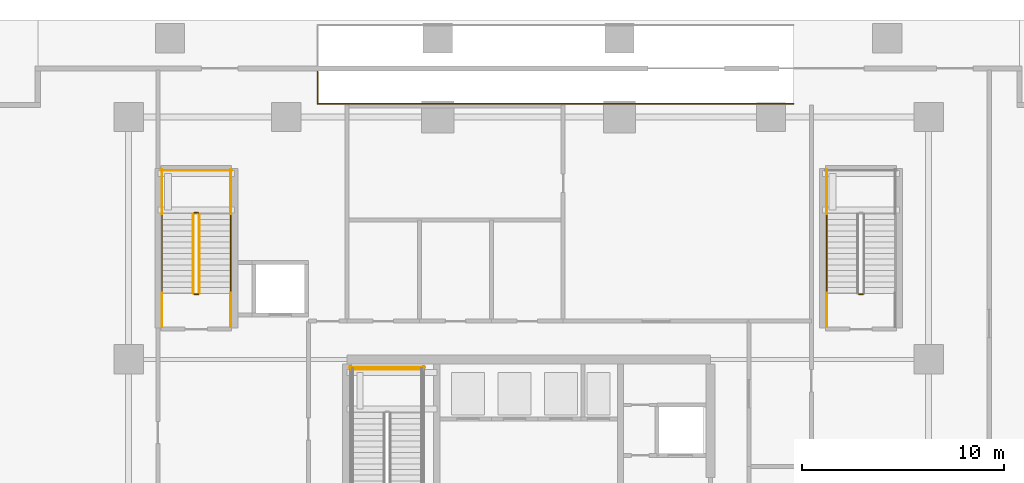
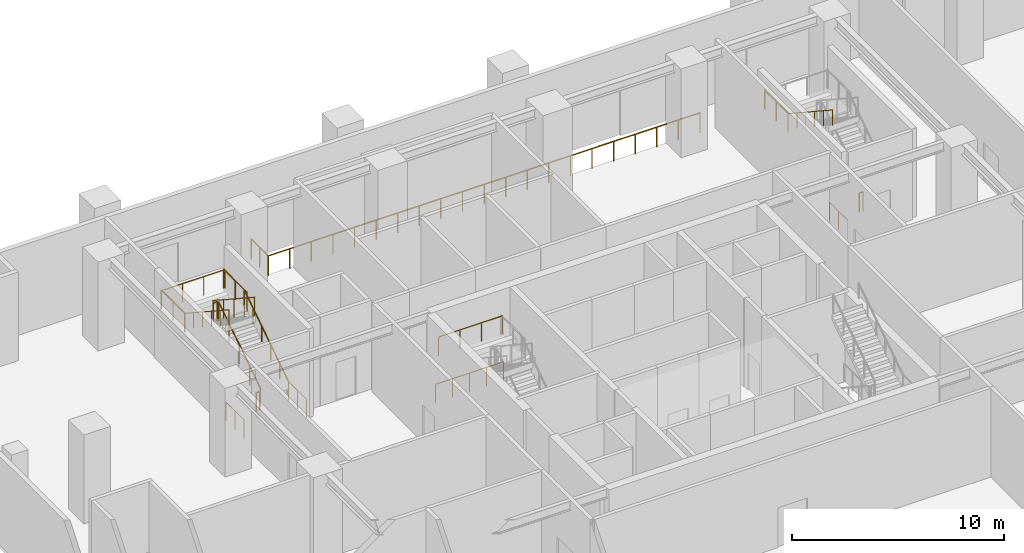
# One storey, part 13 of 15: 18 railings.
"""IFC4 building model written with IfcOpenShell, lengths in metres."""

from ifc_helpers import new_model, si_unit, direction, frame, origin, origin_2d, place, context, subcontext, project, spatial, circle, extrude, material, type_object, element, save


model = new_model("IFC4")

# Units and contexts
model_context = context("Model", 3, precision=1e-05, world=origin(), true_north=direction((0.0, 1.0)))
body_context = subcontext(model_context, "Body", "Model", "MODEL_VIEW")
ifc_project = project(units=[si_unit("LENGTHUNIT", "METRE"), si_unit("AREAUNIT", "SQUARE_METRE"), si_unit("VOLUMEUNIT", "CUBIC_METRE"), si_unit("PLANEANGLEUNIT", "RADIAN"), si_unit("MASSUNIT", "GRAM", prefix="KILO")], contexts=[model_context])

# Site, building, storey
site_placement = place(None, origin())
site = spatial("IfcSite", under=ifc_project, at=site_placement, CompositionType="ELEMENT")
building_placement = place(site_placement, origin())
building = spatial("IfcBuilding", under=site, at=building_placement, Name="Serunith Strait Residences", CompositionType="ELEMENT")
storey_placement = place(building_placement, origin())
storey = spatial("IfcBuildingStorey", under=building, at=storey_placement, Name="L00", CompositionType="ELEMENT", Elevation=0.0)

# Railings
ifc_material = material(Name="Brushed stainless steel 316L", Category="steel")
railing_type_1 = type_object("IfcRailingType", Name="RLG-STAIR-GUARD", PredefinedType="BALUSTRADE", material=ifc_material)
railing_1_placement = place(storey_placement, frame((27.14990234375, 33.10009765625, 2.75)))
element("IfcRailing", 1, at=railing_1_placement, inside=storey, type_object=railing_type_1, Name="L00 ST-1 stair guard 5", PredefinedType="BALUSTRADE", context=body_context, shape_type="SweptSolid", body=[
    extrude(circle(Radius=0.02392578125, at=origin_2d()), frame((-0.001953125, 0.0, 1.076171875), z_axis=(-1.0, 0.0, 0.0), x_axis=(0.0, -1.0, 0.0)), (0.0, 0.0, 1.0), 3.49609375),
    extrude(circle(Radius=0.02099609375, at=origin_2d()), origin(), (0.0, 0.0, 1.0), 1.050048828125),
    extrude(circle(Radius=0.02099609375, at=origin_2d()), frame((-1.166748046875, 0.0, 0.0)), (0.0, 0.0, 1.0), 1.050048828125),
    extrude(circle(Radius=0.02099609375, at=origin_2d()), frame((-2.333251953125, 0.0, 0.0)), (0.0, 0.0, 1.0), 1.050048828125),
    extrude(circle(Radius=0.02099609375, at=origin_2d()), frame((-3.5, 0.0, 0.0)), (0.0, 0.0, 1.0), 1.050048828125),
])
railing_2_placement = place(storey_placement, frame((27.25, 33.199951171875, 0.0)))
element("IfcRailing", 2, at=railing_2_placement, inside=storey, type_object=railing_type_1, Name="L00 ST-1 stair guard 12", PredefinedType="BALUSTRADE", context=body_context, shape_type="SweptSolid", body=[
    extrude(circle(Radius=0.02392578125, at=origin_2d()), frame((-0.001953125, 0.0, 1.076171875), z_axis=(-1.0, 0.0, 0.0), x_axis=(0.0, -1.0, 0.0)), (0.0, 0.0, 1.0), 3.696044921875),
    extrude(circle(Radius=0.02099609375, at=origin_2d()), origin(), (0.0, 0.0, 1.0), 1.050048828125),
    extrude(circle(Radius=0.02099609375, at=origin_2d()), frame((-0.925048828125, 0.0, 0.0)), (0.0, 0.0, 1.0), 1.050048828125),
    extrude(circle(Radius=0.02099609375, at=origin_2d()), frame((-1.85009765625, 0.0, 0.0)), (0.0, 0.0, 1.0), 1.050048828125),
    extrude(circle(Radius=0.02099609375, at=origin_2d()), frame((-2.77490234375, 0.0, 0.0)), (0.0, 0.0, 1.0), 1.050048828125),
    extrude(circle(Radius=0.02099609375, at=origin_2d()), frame((-3.699951171875, 0.0, 0.0)), (0.0, 0.0, 1.0), 1.050048828125),
])
railing_3_placement = place(storey_placement, frame((16.10009765625, 36.8798828125, 0.183349609375)))
element("IfcRailing", 3, at=railing_3_placement, inside=storey, type_object=railing_type_1, Name="L00 ST-3 stair guard 1", PredefinedType="BALUSTRADE", context=body_context, shape_type="SweptSolid", body=[
    extrude(circle(Radius=0.02392578125, at=origin_2d()), frame((0.0, 0.001708984375, 1.0771484375), z_axis=(0.0, 0.836630751959, 0.54776727255), x_axis=(-1.0, 0.0, 0.0)), (0.0, 0.0, 1.0), 4.681640625),
    extrude(circle(Radius=0.02099609375, at=origin_2d()), origin(), (0.0, 0.0, 1.0), 1.050048828125),
    extrude(circle(Radius=0.02099609375, at=origin_2d()), frame((0.0, 0.97998046875, 0.6416015625)), (0.0, 0.0, 1.0), 1.050048828125),
    extrude(circle(Radius=0.02099609375, at=origin_2d()), frame((0.0, 1.9599609375, 1.283203125)), (0.0, 0.0, 1.0), 1.050048828125),
    extrude(circle(Radius=0.02099609375, at=origin_2d()), frame((0.0, 2.940185546875, 1.925048828125)), (0.0, 0.0, 1.0), 1.050048828125),
    extrude(circle(Radius=0.02099609375, at=origin_2d()), frame((0.0, 3.920166015625, 2.566650390625)), (0.0, 0.0, 1.0), 1.050048828125),
])
railing_4_placement = place(storey_placement, frame((16.050048828125, 40.85009765625, 2.75)))
element("IfcRailing", 4, at=railing_4_placement, inside=storey, type_object=railing_type_1, Name="L00 ST-3 stair guard 2", PredefinedType="BALUSTRADE", context=body_context, shape_type="SweptSolid", body=[
    extrude(circle(Radius=0.02392578125, at=origin_2d()), frame((-0.001953125, 0.0, 1.076171875), z_axis=(-1.0, 0.0, 0.0), x_axis=(0.0, -1.0, 0.0)), (0.0, 0.0, 1.0), 0.196044921875),
    extrude(circle(Radius=0.02099609375, at=origin_2d()), origin(), (0.0, 0.0, 1.0), 1.050048828125),
    extrude(circle(Radius=0.02099609375, at=origin_2d()), frame((-0.199951171875, 0.0, 0.0)), (0.0, 0.0, 1.0), 1.050048828125),
])
for number, where, name in (
    (5, (17.64990234375, 40.800048828125, 2.75), "L00 ST-3 stair guard 3"),
    (6, (14.25, 40.800048828125, 2.75), "L00 ST-3 stair guard 4"),
):
    element("IfcRailing", number, at=place(storey_placement, frame(where)), inside=storey, type_object=railing_type_1, Name=name, PredefinedType="BALUSTRADE", context=body_context, shape_type="SweptSolid", body=[
        extrude(circle(Radius=0.02392578125, at=origin_2d()), frame((0.0, 0.001953125, 1.076171875), z_axis=(0.0, 1.0, 0.0), x_axis=(-1.0, 0.0, 0.0)), (0.0, 0.0, 1.0), 2.196044921875),
        extrude(circle(Radius=0.02099609375, at=origin_2d()), origin(), (0.0, 0.0, 1.0), 1.050048828125),
        extrude(circle(Radius=0.02099609375, at=origin_2d()), frame((0.0, 1.10009765625, 0.0)), (0.0, 0.0, 1.0), 1.050048828125),
        extrude(circle(Radius=0.02099609375, at=origin_2d()), frame((0.0, 2.199951171875, 0.0)), (0.0, 0.0, 1.0), 1.050048828125),
    ])
railing_5_placement = place(storey_placement, frame((17.699951171875, 42.949951171875, 2.75)))
element("IfcRailing", 7, at=railing_5_placement, inside=storey, type_object=railing_type_1, Name="L00 ST-3 stair guard 5", PredefinedType="BALUSTRADE", context=body_context, shape_type="SweptSolid", body=[
    extrude(circle(Radius=0.02392578125, at=origin_2d()), frame((-0.001953125, 0.0, 1.076171875), z_axis=(-1.0, 0.0, 0.0), x_axis=(0.0, -1.0, 0.0)), (0.0, 0.0, 1.0), 3.49609375),
    extrude(circle(Radius=0.02099609375, at=origin_2d()), origin(), (0.0, 0.0, 1.0), 1.050048828125),
    extrude(circle(Radius=0.02099609375, at=origin_2d()), frame((-1.166748046875, 0.0, 0.0)), (0.0, 0.0, 1.0), 1.050048828125),
    extrude(circle(Radius=0.02099609375, at=origin_2d()), frame((-2.333251953125, 0.0, 0.0)), (0.0, 0.0, 1.0), 1.050048828125),
    extrude(circle(Radius=0.02099609375, at=origin_2d()), frame((-3.5, 0.0, 0.0)), (0.0, 0.0, 1.0), 1.050048828125),
])
railing_6_placement = place(storey_placement, frame((15.800048828125, 40.800048828125, 2.933349609375)))
element("IfcRailing", 8, at=railing_6_placement, inside=storey, type_object=railing_type_1, Name="L00 ST-3 stair guard 6", PredefinedType="BALUSTRADE", context=body_context, shape_type="SweptSolid", body=[
    extrude(circle(Radius=0.02392578125, at=origin_2d()), frame((0.0, -0.001708984375, 1.0771484375), z_axis=(0.0, -0.836630751959, 0.54776727255), x_axis=(1.0, 0.0, 0.0)), (0.0, 0.0, 1.0), 4.681640625),
    extrude(circle(Radius=0.02099609375, at=origin_2d()), origin(), (0.0, 0.0, 1.0), 1.050048828125),
    extrude(circle(Radius=0.02099609375, at=origin_2d()), frame((0.0, -0.97998046875, 0.6416015625)), (0.0, 0.0, 1.0), 1.050048828125),
    extrude(circle(Radius=0.02099609375, at=origin_2d()), frame((0.0, -1.9599609375, 1.283203125)), (0.0, 0.0, 1.0), 1.050048828125),
    extrude(circle(Radius=0.02099609375, at=origin_2d()), frame((0.0, -2.940185546875, 1.925048828125)), (0.0, 0.0, 1.0), 1.050048828125),
    extrude(circle(Radius=0.02099609375, at=origin_2d()), frame((0.0, -3.920166015625, 2.566650390625)), (0.0, 0.0, 1.0), 1.050048828125),
])
railing_7_placement = place(storey_placement, frame((16.050048828125, 36.830078125, 0.0)))
element("IfcRailing", 9, at=railing_7_placement, inside=storey, type_object=railing_type_1, Name="L00 ST-3 stair guard 7", PredefinedType="BALUSTRADE", context=body_context, shape_type="SweptSolid", body=[
    extrude(circle(Radius=0.02392578125, at=origin_2d()), frame((-0.001953125, 0.0, 1.076171875), z_axis=(-1.0, 0.0, 0.0), x_axis=(0.0, -1.0, 0.0)), (0.0, 0.0, 1.0), 0.196044921875),
    extrude(circle(Radius=0.02099609375, at=origin_2d()), origin(), (0.0, 0.0, 1.0), 1.050048828125),
    extrude(circle(Radius=0.02099609375, at=origin_2d()), frame((-0.199951171875, 0.0, 0.0)), (0.0, 0.0, 1.0), 1.050048828125),
])
for number, where, name in (
    (10, (17.64990234375, 35.199951171875, 0.0), "L00 ST-3 stair guard 8"),
    (11, (14.25, 35.199951171875, 0.0), "L00 ST-3 stair guard 9"),
):
    element("IfcRailing", number, at=place(storey_placement, frame(where)), inside=storey, type_object=railing_type_1, Name=name, PredefinedType="BALUSTRADE", context=body_context, shape_type="SweptSolid", body=[
        extrude(circle(Radius=0.02392578125, at=origin_2d()), frame((0.0, 0.001953125, 1.076171875), z_axis=(0.0, 1.0, 0.0), x_axis=(-1.0, 0.0, 0.0)), (0.0, 0.0, 1.0), 1.676025390625),
        extrude(circle(Radius=0.02099609375, at=origin_2d()), origin(), (0.0, 0.0, 1.0), 1.050048828125),
        extrude(circle(Radius=0.02099609375, at=origin_2d()), frame((0.0, 0.83984375, 0.0)), (0.0, 0.0, 1.0), 1.050048828125),
        extrude(circle(Radius=0.02099609375, at=origin_2d()), frame((0.0, 1.679931640625, 0.0)), (0.0, 0.0, 1.0), 1.050048828125),
    ])
railing_8_placement = place(storey_placement, frame((47.14990234375, 40.800048828125, 2.75)))
element("IfcRailing", 12, at=railing_8_placement, inside=storey, type_object=railing_type_1, Name="L00 ST-4 stair guard 4", PredefinedType="BALUSTRADE", context=body_context, shape_type="SweptSolid", body=[
    extrude(circle(Radius=0.02392578125, at=origin_2d()), frame((0.0, 0.001953125, 1.076171875), z_axis=(0.0, 1.0, 0.0), x_axis=(-1.0, 0.0, 0.0)), (0.0, 0.0, 1.0), 2.196044921875),
    extrude(circle(Radius=0.02099609375, at=origin_2d()), origin(), (0.0, 0.0, 1.0), 1.050048828125),
    extrude(circle(Radius=0.02099609375, at=origin_2d()), frame((0.0, 1.10009765625, 0.0)), (0.0, 0.0, 1.0), 1.050048828125),
    extrude(circle(Radius=0.02099609375, at=origin_2d()), frame((0.0, 2.199951171875, 0.0)), (0.0, 0.0, 1.0), 1.050048828125),
])
railing_9_placement = place(storey_placement, frame((48.949951171875, 36.830078125, 0.0)))
element("IfcRailing", 13, at=railing_9_placement, inside=storey, type_object=railing_type_1, Name="L00 ST-4 stair guard 7", PredefinedType="BALUSTRADE", context=body_context, shape_type="SweptSolid", body=[
    extrude(circle(Radius=0.02392578125, at=origin_2d()), frame((-0.001953125, 0.0, 1.076171875), z_axis=(-1.0, 0.0, 0.0), x_axis=(0.0, -1.0, 0.0)), (0.0, 0.0, 1.0), 0.196044921875),
    extrude(circle(Radius=0.02099609375, at=origin_2d()), origin(), (0.0, 0.0, 1.0), 1.050048828125),
    extrude(circle(Radius=0.02099609375, at=origin_2d()), frame((-0.199951171875, 0.0, 0.0)), (0.0, 0.0, 1.0), 1.050048828125),
])
railing_10_placement = place(storey_placement, frame((47.14990234375, 35.199951171875, 0.0)))
element("IfcRailing", 14, at=railing_10_placement, inside=storey, type_object=railing_type_1, Name="L00 ST-4 stair guard 9", PredefinedType="BALUSTRADE", context=body_context, shape_type="SweptSolid", body=[
    extrude(circle(Radius=0.02392578125, at=origin_2d()), frame((0.0, 0.001953125, 1.076171875), z_axis=(0.0, 1.0, 0.0), x_axis=(-1.0, 0.0, 0.0)), (0.0, 0.0, 1.0), 1.676025390625),
    extrude(circle(Radius=0.02099609375, at=origin_2d()), origin(), (0.0, 0.0, 1.0), 1.050048828125),
    extrude(circle(Radius=0.02099609375, at=origin_2d()), frame((0.0, 0.83984375, 0.0)), (0.0, 0.0, 1.0), 1.050048828125),
    extrude(circle(Radius=0.02099609375, at=origin_2d()), frame((0.0, 1.679931640625, 0.0)), (0.0, 0.0, 1.0), 1.050048828125),
])
railing_11_placement = place(storey_placement, frame((45.5, 46.25, 0.0)))
element("IfcRailing", 15, at=railing_11_placement, inside=storey, type_object=railing_type_1, Name="L00 Vehicle Ramp Well Indoor Safety Balustrade", PredefinedType="BALUSTRADE", context=body_context, shape_type="SweptSolid", body=[
    extrude(circle(Radius=0.02392578125, at=origin_2d()), frame((-0.001953125, 0.0, 1.1259765625), z_axis=(-1.0, 0.0, 0.0), x_axis=(0.0, -1.0, 0.0)), (0.0, 0.0, 1.0), 23.546142578125),
    extrude(circle(Radius=0.02392578125, at=origin_2d()), frame((-23.550048828125, 0.001953125, 1.1259765625), z_axis=(0.0, 1.0, 0.0), x_axis=(-1.0, 0.0, 0.0)), (0.0, 0.0, 1.0), 1.59619140625),
    extrude(circle(Radius=0.02099609375, at=origin_2d()), origin(), (0.0, 0.0, 1.0), 1.099853515625),
    extrude(circle(Radius=0.02099609375, at=origin_2d()), frame((-1.177490234375, 0.0, 0.0)), (0.0, 0.0, 1.0), 1.099853515625),
    extrude(circle(Radius=0.02099609375, at=origin_2d()), frame((-2.35498046875, 0.0, 0.0)), (0.0, 0.0, 1.0), 1.099853515625),
    extrude(circle(Radius=0.02099609375, at=origin_2d()), frame((-3.532470703125, 0.0, 0.0)), (0.0, 0.0, 1.0), 1.099853515625),
    extrude(circle(Radius=0.02099609375, at=origin_2d()), frame((-4.7099609375, 0.0, 0.0)), (0.0, 0.0, 1.0), 1.099853515625),
    extrude(circle(Radius=0.02099609375, at=origin_2d()), frame((-5.887451171875, 0.0, 0.0)), (0.0, 0.0, 1.0), 1.099853515625),
    extrude(circle(Radius=0.02099609375, at=origin_2d()), frame((-7.06494140625, 0.0, 0.0)), (0.0, 0.0, 1.0), 1.099853515625),
    extrude(circle(Radius=0.02099609375, at=origin_2d()), frame((-8.242431640625, 0.0, 0.0)), (0.0, 0.0, 1.0), 1.099853515625),
    extrude(circle(Radius=0.02099609375, at=origin_2d()), frame((-9.419921875, 0.0, 0.0)), (0.0, 0.0, 1.0), 1.099853515625),
    extrude(circle(Radius=0.02099609375, at=origin_2d()), frame((-10.597412109375, 0.0, 0.0)), (0.0, 0.0, 1.0), 1.099853515625),
    extrude(circle(Radius=0.02099609375, at=origin_2d()), frame((-11.77490234375, 0.0, 0.0)), (0.0, 0.0, 1.0), 1.099853515625),
    extrude(circle(Radius=0.02099609375, at=origin_2d()), frame((-12.95263671875, 0.0, 0.0)), (0.0, 0.0, 1.0), 1.099853515625),
    extrude(circle(Radius=0.02099609375, at=origin_2d()), frame((-14.130126953125, 0.0, 0.0)), (0.0, 0.0, 1.0), 1.099853515625),
    extrude(circle(Radius=0.02099609375, at=origin_2d()), frame((-15.3076171875, 0.0, 0.0)), (0.0, 0.0, 1.0), 1.099853515625),
    extrude(circle(Radius=0.02099609375, at=origin_2d()), frame((-16.485107421875, 0.0, 0.0)), (0.0, 0.0, 1.0), 1.099853515625),
    extrude(circle(Radius=0.02099609375, at=origin_2d()), frame((-17.66259765625, 0.0, 0.0)), (0.0, 0.0, 1.0), 1.099853515625),
    extrude(circle(Radius=0.02099609375, at=origin_2d()), frame((-18.840087890625, 0.0, 0.0)), (0.0, 0.0, 1.0), 1.099853515625),
    extrude(circle(Radius=0.02099609375, at=origin_2d()), frame((-20.017578125, 0.0, 0.0)), (0.0, 0.0, 1.0), 1.099853515625),
    extrude(circle(Radius=0.02099609375, at=origin_2d()), frame((-21.195068359375, 0.0, 0.0)), (0.0, 0.0, 1.0), 1.099853515625),
    extrude(circle(Radius=0.02099609375, at=origin_2d()), frame((-22.37255859375, 0.0, 0.0)), (0.0, 0.0, 1.0), 1.099853515625),
    extrude(circle(Radius=0.02099609375, at=origin_2d()), frame((-23.550048828125, 0.0, 0.0)), (0.0, 0.0, 1.0), 1.099853515625),
    extrude(circle(Radius=0.02099609375, at=origin_2d()), frame((-23.550048828125, 0.800048828125, 0.0)), (0.0, 0.0, 1.0), 1.099853515625),
    extrude(circle(Radius=0.02099609375, at=origin_2d()), frame((-23.550048828125, 1.60009765625, 0.0)), (0.0, 0.0, 1.0), 1.099853515625),
])
railing_type_2 = type_object("IfcRailingType", Name="RLG-STAIR-HR", PredefinedType="HANDRAIL", material=ifc_material)
railing_12_placement = place(storey_placement, frame((17.64990234375, 36.8798828125, 0.183349609375)))
element("IfcRailing", 16, at=railing_12_placement, inside=storey, type_object=railing_type_2, Name="L00 ST-3 stair handrail 1", PredefinedType="HANDRAIL", context=body_context, shape_type="SweptSolid", body=[
    extrude(circle(Radius=0.02392578125, at=origin_2d()), frame((0.0, 0.001708984375, 0.876953125), z_axis=(0.0, 0.836184440817, 0.54844833935), x_axis=(-1.0, 0.0, 0.0)), (0.0, 0.0, 1.0), 5.01904296875),
    extrude(circle(Radius=0.02099609375, at=origin_2d()), origin(), (0.0, 0.0, 1.0), 0.849853515625),
    extrude(circle(Radius=0.02099609375, at=origin_2d()), frame((0.0, 0.840087890625, 0.551025390625)), (0.0, 0.0, 1.0), 0.849853515625),
    extrude(circle(Radius=0.02099609375, at=origin_2d()), frame((0.0, 1.68017578125, 1.10205078125)), (0.0, 0.0, 1.0), 0.849853515625),
    extrude(circle(Radius=0.02099609375, at=origin_2d()), frame((0.0, 2.52001953125, 1.65283203125)), (0.0, 0.0, 1.0), 0.849853515625),
    extrude(circle(Radius=0.02099609375, at=origin_2d()), frame((0.0, 3.360107421875, 2.203857421875)), (0.0, 0.0, 1.0), 0.849853515625),
    extrude(circle(Radius=0.02099609375, at=origin_2d()), frame((0.0, 4.2001953125, 2.7548828125)), (0.0, 0.0, 1.0), 0.849853515625),
])
for number, where, name in (
    (17, (14.25, 40.800048828125, 2.933349609375), "L00 ST-3 stair handrail 2"),
    (18, (47.14990234375, 40.800048828125, 2.933349609375), "L00 ST-4 stair handrail 2"),
):
    element("IfcRailing", number, at=place(storey_placement, frame(where)), inside=storey, type_object=railing_type_2, Name=name, PredefinedType="HANDRAIL", context=body_context, shape_type="SweptSolid", body=[
        extrude(circle(Radius=0.02392578125, at=origin_2d()), frame((0.0, -0.001708984375, 0.876953125), z_axis=(0.0, -0.836169820036, 0.548470630081), x_axis=(1.0, 0.0, 0.0)), (0.0, 0.0, 1.0), 5.018798828125),
        extrude(circle(Radius=0.02099609375, at=origin_2d()), origin(), (0.0, 0.0, 1.0), 0.849853515625),
        extrude(circle(Radius=0.02099609375, at=origin_2d()), frame((0.0, -0.840087890625, 0.551025390625)), (0.0, 0.0, 1.0), 0.849853515625),
        extrude(circle(Radius=0.02099609375, at=origin_2d()), frame((0.0, -1.679931640625, 1.10205078125)), (0.0, 0.0, 1.0), 0.849853515625),
        extrude(circle(Radius=0.02099609375, at=origin_2d()), frame((0.0, -2.52001953125, 1.65283203125)), (0.0, 0.0, 1.0), 0.849853515625),
        extrude(circle(Radius=0.02099609375, at=origin_2d()), frame((0.0, -3.35986328125, 2.203857421875)), (0.0, 0.0, 1.0), 0.849853515625),
        extrude(circle(Radius=0.02099609375, at=origin_2d()), frame((0.0, -4.199951171875, 2.7548828125)), (0.0, 0.0, 1.0), 0.849853515625),
    ])

save(model, "model.ifc")
